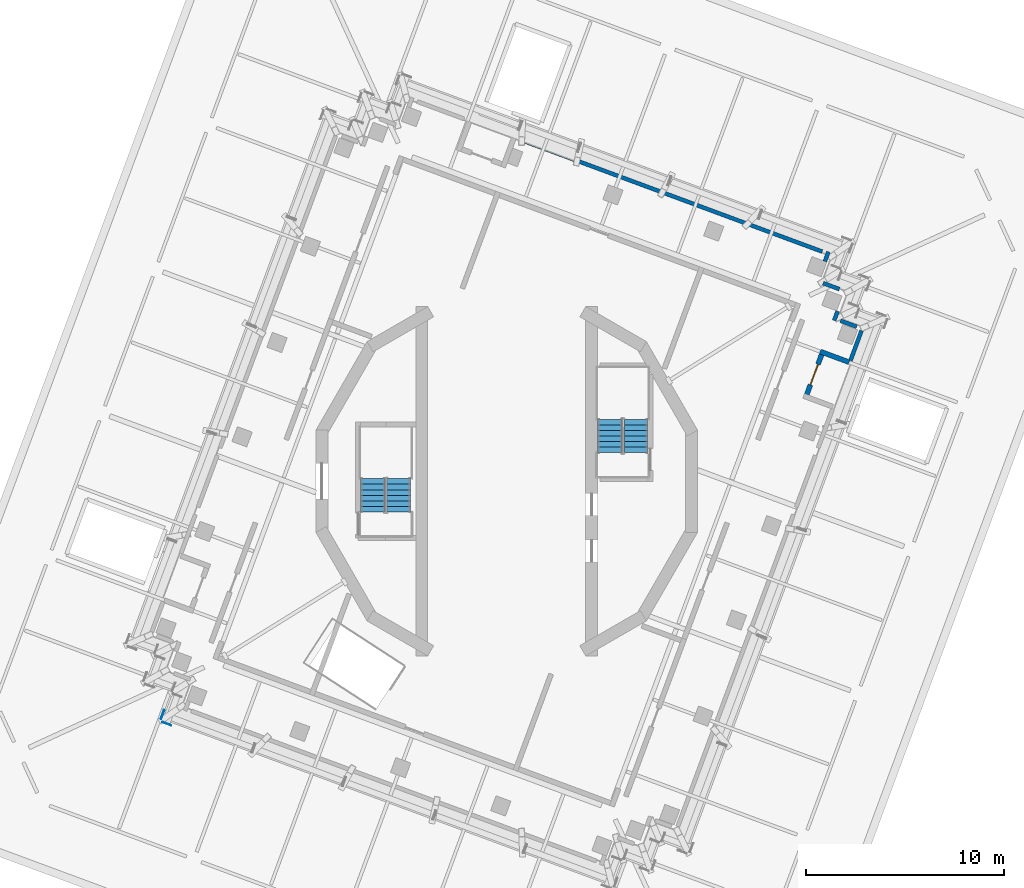
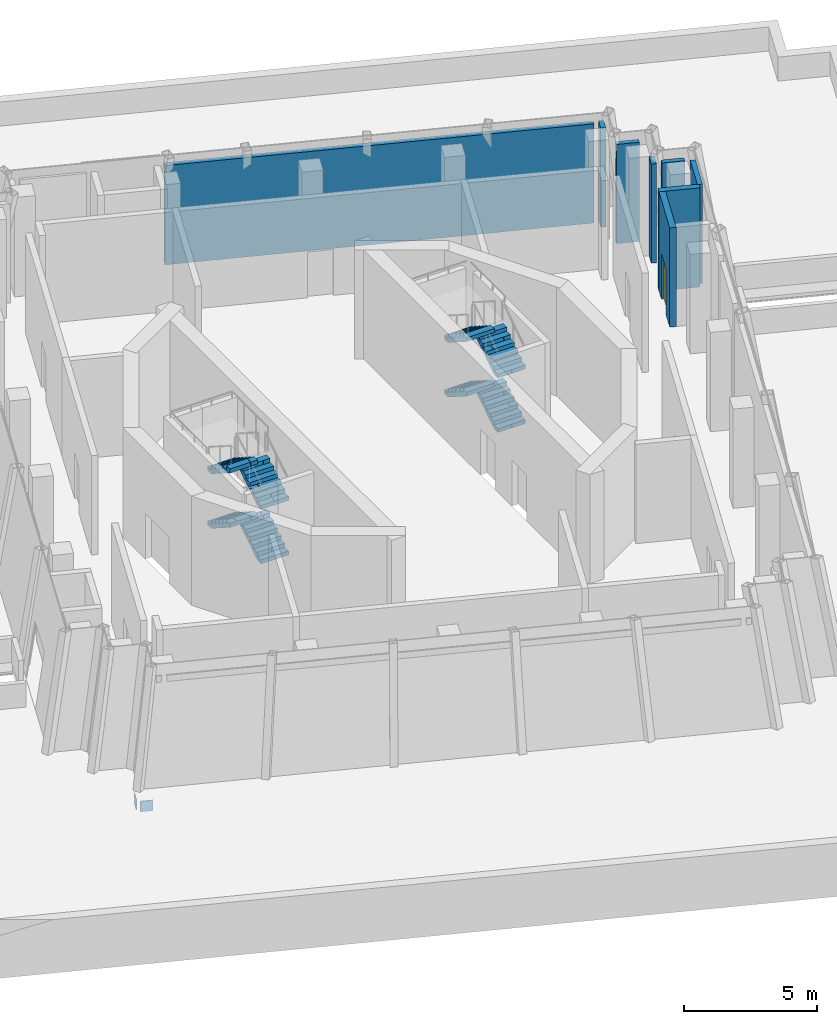
# One storey, part 7 of 12: 8 stair flights, 8 walls, 2 discrete accessories, 1 door, 1 opening, 4 elements without a shape of their own.
"""IFC4 building model written with IfcOpenShell, lengths in metres."""

from ifc_helpers import new_model, si_unit, direction, frame, frame_2d, origin, place, context, subcontext, project, spatial, polyline, rectangle, outline, extrude, material, layer, layer_set, type_object, element, fill, aggregate, save


model = new_model("IFC4")

# Units and contexts
model_context = context("Model", 3, precision=1e-05, world=origin(), true_north=direction((0.0, 1.0)))
body_context = subcontext(model_context, "Body", "Model", "MODEL_VIEW")
ifc_project = project(units=[si_unit("LENGTHUNIT", "METRE"), si_unit("AREAUNIT", "SQUARE_METRE"), si_unit("VOLUMEUNIT", "CUBIC_METRE"), si_unit("PLANEANGLEUNIT", "RADIAN"), si_unit("MASSUNIT", "GRAM", prefix="KILO")], contexts=[model_context])

# Site, building, storey
site_placement = place(None, origin())
site = spatial("IfcSite", under=ifc_project, at=site_placement, CompositionType="ELEMENT")
building_placement = place(site_placement, origin())
building = spatial("IfcBuilding", under=site, at=building_placement, Name="Cantera Rosa Tower", CompositionType="ELEMENT")
storey_placement = place(building_placement, frame((0.0, 0.0, 345.699951171875)))
storey = spatial("IfcBuildingStorey", under=building, at=storey_placement, Name="L78", CompositionType="ELEMENT", Elevation=345.699951171875)

# Walls
ifc_material_1 = material(Name="Masonry blockwork", Category="masonry")
ifc_layer_1 = layer(ifc_material_1, 0.199951171875)
ifc_layer_set_1 = layer_set([ifc_layer_1], Name="Blockwork partition 200")
wall_type_1 = type_object("IfcWallType", Name="Blockwork partition 200", PredefinedType="PARTITIONING", material=ifc_layer_set_1)
wall_1_placement = place(storey_placement, frame((16.108154296875, 11.1328125, 0.0), z_axis=(0.0, 0.0, 1.0), x_axis=(0.347391322771, 0.937720250855, 0.0)))
element("IfcWall", 1, at=wall_1_placement, inside=storey, type_object=wall_type_1, Name="Partition L78-24", PredefinedType="PARTITIONING", context=body_context, shape_type="SweptSolid", body=[
    extrude(rectangle(XDim=0.5166015625, YDim=0.199951171875, at=frame_2d((0.25830078125, 0.0))), origin(), (0.0, 0.0, 1.0), 4.550048828125),
])
for number, where, z_axis, x_axis, name in (
    (2, (17.71875, 7.823486328125, 0.0), (0.0, 0.0, 1.0), (-0.937644983039, 0.347594427144, 0.0), "Partition L78-41"),
    (3, (16.84521484375, 9.7255859375, 0.0), (0.0, 0.0, 1.0), (-0.937644983039, 0.347594427144, 0.0), "Partition L78-43"),
):
    element("IfcWall", number, at=place(storey_placement, frame(where, z_axis=z_axis, x_axis=x_axis)), inside=storey, type_object=wall_type_1, Name=name, PredefinedType="PARTITIONING", context=body_context, shape_type="SweptSolid", body=[
        extrude(rectangle(XDim=0.880126953125, YDim=0.199951171875, at=frame_2d((0.43994140625, 0.0))), origin(), (0.0, 0.0, 1.0), 4.550048828125),
    ])
wall_2_placement = place(storey_placement, frame((15.9716796875, 11.627685546875, 0.0), z_axis=(0.0, 0.0, 1.0), x_axis=(-0.937686189771, 0.347483250695, 0.0)))
element("IfcWall", 4, at=wall_2_placement, inside=storey, type_object=wall_type_1, Name="Partition L78-46", PredefinedType="PARTITIONING", context=body_context, shape_type="SweptSolid", body=[
    extrude(rectangle(XDim=16.336181640625, YDim=0.199951171875, at=frame_2d((8.16796875, 0.0))), origin(), (0.0, 0.0, 1.0), 4.550048828125),
])
wall_3_placement = place(storey_placement, frame((16.577392578125, 8.139892578125, 0.0), z_axis=(0.0, 0.0, 1.0), x_axis=(0.347488953483, 0.937684076439, 0.0)))
element("IfcWall", 5, at=wall_3_placement, inside=storey, type_object=wall_type_1, Name="Partition L78-52", PredefinedType="PARTITIONING", context=body_context, shape_type="SweptSolid", body=[
    extrude(rectangle(XDim=0.5009765625, YDim=0.199951171875, at=frame_2d((0.25048828125, 0.0))), origin(), (0.0, 0.0, 1.0), 4.550048828125),
])
wall_4_placement = place(storey_placement, frame((17.403076171875, 6.1083984375, 0.0), z_axis=(0.0, 0.0, 1.0), x_axis=(0.347383163171, 0.93772327365, 0.0)))
element("IfcWall", 6, at=wall_4_placement, inside=storey, type_object=wall_type_1, Name="Partition L78-56", PredefinedType="PARTITIONING", context=body_context, shape_type="SweptSolid", body=[
    extrude(rectangle(XDim=1.617919921875, YDim=0.199951171875, at=frame_2d((0.80908203125, 0.0))), origin(), (0.0, 0.0, 1.0), 4.550048828125),
])
ifc_material_2 = material(Name="Concrete C50/60", Category="concrete")
ifc_layer_2 = layer(ifc_material_2, 0.25)
ifc_layer_set_2 = layer_set([ifc_layer_2], Name="RC stair wall 250 H4550 C50/60")
wall_type_2 = type_object("IfcWallType", Name="RC stair wall 250 H4550", PredefinedType="SOLIDWALL", material=ifc_layer_set_2)
wall_5_placement = place(storey_placement, frame((17.33447265625, 6.027099609375, 0.0), z_axis=(0.0, 0.0, 1.0), x_axis=(-0.937662174448, 0.347548049354, 0.0)))
element("IfcWall", 7, at=wall_5_placement, inside=storey, type_object=wall_type_2, Name="Stair lobby wall ST-61 L78-A", PredefinedType="SOLIDWALL", context=body_context, shape_type="SweptSolid", body=[
    extrude(rectangle(XDim=1.565185546875, YDim=0.25, at=frame_2d((0.78271484375, 0.0))), origin(), (0.0, 0.0, 1.0), 4.550048828125),
])

# Wall, opening, door
wall_6_placement = place(storey_placement, frame((16.027587890625, 6.644775390625, 0.0), z_axis=(0.0, 0.0, 1.0), x_axis=(-0.347506383506, -0.937677617, 0.0)))
wall_6 = element("IfcWall", 8, at=wall_6_placement, inside=storey, type_object=wall_type_2, Name="Stair lobby wall ST-61 L78-C", PredefinedType="SOLIDWALL", context=body_context, shape_type="SweptSolid", body=[
    extrude(rectangle(XDim=2.64990234375, YDim=0.25, at=frame_2d((1.324951171875, 0.0))), origin(), (0.0, 0.0, 1.0), 4.550048828125),
])
opening_placement = place(wall_6_placement, frame((0.77490234375, 0.0, 0.0)))
opening = element("IfcOpeningElement", 9, at=opening_placement, cuts=wall_6, Name="Opening L78-ST-61-LD", PredefinedType="OPENING", context=body_context, shape_type="SweptSolid", body=[
    extrude(rectangle(XDim=1.10009765625, YDim=2.10009765625, at=frame_2d((0.550048828125, 1.050048828125))), frame((0.0, 0.135009765625, 0.0), z_axis=(0.0, -1.0, 0.0), x_axis=(1.0, 0.0, 0.0)), (0.0, 0.0, 1.0), 0.27001953125),
])
ifc_material_3 = material(Name="Steel S355J2 (EN 10025-2)", Category="steel")
door_type = type_object("IfcDoorType", Name="STAIR LOBBY DOOR 1100x2100", OperationType="NOTDEFINED", PredefinedType="DOOR", material=ifc_material_3)
door_placement = place(opening_placement, origin())
door = element("IfcDoor", 10, at=door_placement, inside=storey, type_object=door_type, Name="Lobby door ST-61 L78", OverallHeight=2.10009765625, OverallWidth=1.10009765625, PredefinedType="DOOR", context=body_context, shape_type="SweptSolid", body=[
    extrude(rectangle(XDim=1.10009765625, YDim=2.10009765625, at=frame_2d((0.550048828125, 1.050048828125))), frame((0.0, 0.02490234375, 0.0), z_axis=(0.0, -1.0, 0.0), x_axis=(1.0, 0.0, 0.0)), (0.0, 0.0, 1.0), 0.050048828125),
])
fill(opening, door)

# Stair, stair flights
ifc_material_4 = material(Name="Concrete C35/45", Category="concrete")
stair_type = type_object("IfcStairType", Name="EXIT STAIR 1200 DOGLEG", PredefinedType="HALF_TURN_STAIR", material=ifc_material_4)
stair_1_placement = place(storey_placement, origin())
stair_1 = element("IfcStair", 11, at=stair_1_placement, inside=storey, type_object=stair_type, Name="L78 ST-71", PredefinedType="HALF_TURN_STAIR")
ifc_material_5 = material(Name="Concrete C35/45", Category="concrete")
stair_flight_type = type_object("IfcStairFlightType", Name="STAIR FLIGHT 1200 R28x179", PredefinedType="STRAIGHT", material=ifc_material_5)
stair_flight_1_placement = place(storey_placement, frame((-5.449951171875, -1.550048828125, 0.0), z_axis=(0.0, 0.0, 1.0), x_axis=(0.0, 1.0, 0.0)))
stair_flight_1 = element("IfcStairFlight", 12, at=stair_flight_1_placement, type_object=stair_flight_type, Name="ST-71 flight 1", NumberOfRisers=7, NumberOfTreads=6, PredefinedType="STRAIGHT", RiserHeight=0.178571429, TreadLength=0.28, context=body_context, shape_type="SweptSolid", body=[
    extrude(outline(polyline([(0.0, 0.0), (0.0, 0.178466796875), (0.280029296875, 0.178466796875), (0.280029296875, 0.357177734375), (0.56005859375, 0.357177734375), (0.56005859375, 0.53564453125), (0.840087890625, 0.53564453125), (0.840087890625, 0.71435546875), (1.1201171875, 0.71435546875), (1.1201171875, 0.892822265625), (1.39990234375, 0.892822265625), (1.39990234375, 1.071533203125), (1.679931640625, 1.071533203125), (1.679931640625, 1.25), (1.679931640625, 0.8935546875), (0.27880859375, 0.0), (0.0, 0.0)])), frame((0.0, 0.60009765625, 0.0), z_axis=(0.0, -1.0, 0.0), x_axis=(1.0, 0.0, 0.0)), (0.0, 0.0, 1.0), 0.298583984375),
    extrude(outline(polyline([(0.0, 0.0), (0.0, 0.178466796875), (0.280029296875, 0.178466796875), (0.280029296875, 0.357177734375), (0.56005859375, 0.357177734375), (0.56005859375, 0.53564453125), (0.840087890625, 0.53564453125), (0.840087890625, 0.71435546875), (1.1201171875, 0.71435546875), (1.1201171875, 0.892822265625), (1.39990234375, 0.892822265625), (1.39990234375, 1.071533203125), (1.679931640625, 1.071533203125), (1.679931640625, 1.25), (1.679931640625, 0.8935546875), (0.27880859375, 0.0), (0.0, 0.0)])), frame((0.0, 0.29931640625, 0.0), z_axis=(0.0, -1.0, 0.0), x_axis=(1.0, 0.0, 0.0)), (0.0, 0.0, 1.0), 0.298583984375),
    extrude(outline(polyline([(0.0, 0.0), (0.0, 0.178466796875), (0.280029296875, 0.178466796875), (0.280029296875, 0.357177734375), (0.56005859375, 0.357177734375), (0.56005859375, 0.53564453125), (0.840087890625, 0.53564453125), (0.840087890625, 0.71435546875), (1.1201171875, 0.71435546875), (1.1201171875, 0.892822265625), (1.39990234375, 0.892822265625), (1.39990234375, 1.071533203125), (1.679931640625, 1.071533203125), (1.679931640625, 1.25), (1.679931640625, 0.8935546875), (0.27880859375, 0.0), (0.0, 0.0)])), frame((0.0, -0.0009765625, 0.0), z_axis=(0.0, -1.0, 0.0), x_axis=(1.0, 0.0, 0.0)), (0.0, 0.0, 1.0), 0.298583984375),
    extrude(outline(polyline([(0.0, 0.0), (0.0, 0.178466796875), (0.280029296875, 0.178466796875), (0.280029296875, 0.357177734375), (0.56005859375, 0.357177734375), (0.56005859375, 0.53564453125), (0.840087890625, 0.53564453125), (0.840087890625, 0.71435546875), (1.1201171875, 0.71435546875), (1.1201171875, 0.892822265625), (1.39990234375, 0.892822265625), (1.39990234375, 1.071533203125), (1.679931640625, 1.071533203125), (1.679931640625, 1.25), (1.679931640625, 0.8935546875), (0.27880859375, 0.0), (0.0, 0.0)])), frame((0.0, -0.3017578125, 0.0), z_axis=(0.0, -1.0, 0.0), x_axis=(1.0, 0.0, 0.0)), (0.0, 0.0, 1.0), 0.298583984375),
])
stair_flight_2_placement = place(storey_placement, frame((-6.800048828125, 0.1298828125, 1.25), z_axis=(0.0, 0.0, 1.0), x_axis=(0.0, -1.0, 0.0)))
stair_flight_2 = element("IfcStairFlight", 13, at=stair_flight_2_placement, type_object=stair_flight_type, Name="ST-71 flight 2", NumberOfRisers=7, NumberOfTreads=6, PredefinedType="STRAIGHT", RiserHeight=0.178571429, TreadLength=0.28, context=body_context, shape_type="SweptSolid", body=[
    extrude(outline(polyline([(0.0, 0.0), (0.0, 0.178466796875), (0.280029296875, 0.178466796875), (0.280029296875, 0.357177734375), (0.56005859375, 0.357177734375), (0.56005859375, 0.53564453125), (0.840087890625, 0.53564453125), (0.840087890625, 0.71435546875), (1.1201171875, 0.71435546875), (1.1201171875, 0.892822265625), (1.39990234375, 0.892822265625), (1.39990234375, 1.071533203125), (1.679931640625, 1.071533203125), (1.679931640625, 1.25), (1.679931640625, 0.8935546875), (0.27880859375, 0.0), (0.0, 0.0)])), frame((0.0, 0.60009765625, 0.0), z_axis=(0.0, -1.0, 0.0), x_axis=(1.0, 0.0, 0.0)), (0.0, 0.0, 1.0), 0.298583984375),
    extrude(outline(polyline([(0.0, 0.0), (0.0, 0.178466796875), (0.280029296875, 0.178466796875), (0.280029296875, 0.357177734375), (0.56005859375, 0.357177734375), (0.56005859375, 0.53564453125), (0.840087890625, 0.53564453125), (0.840087890625, 0.71435546875), (1.1201171875, 0.71435546875), (1.1201171875, 0.892822265625), (1.39990234375, 0.892822265625), (1.39990234375, 1.071533203125), (1.679931640625, 1.071533203125), (1.679931640625, 1.25), (1.679931640625, 0.8935546875), (0.27880859375, 0.0), (0.0, 0.0)])), frame((0.0, 0.29931640625, 0.0), z_axis=(0.0, -1.0, 0.0), x_axis=(1.0, 0.0, 0.0)), (0.0, 0.0, 1.0), 0.298583984375),
    extrude(outline(polyline([(0.0, 0.0), (0.0, 0.178466796875), (0.280029296875, 0.178466796875), (0.280029296875, 0.357177734375), (0.56005859375, 0.357177734375), (0.56005859375, 0.53564453125), (0.840087890625, 0.53564453125), (0.840087890625, 0.71435546875), (1.1201171875, 0.71435546875), (1.1201171875, 0.892822265625), (1.39990234375, 0.892822265625), (1.39990234375, 1.071533203125), (1.679931640625, 1.071533203125), (1.679931640625, 1.25), (1.679931640625, 0.8935546875), (0.27880859375, 0.0), (0.0, 0.0)])), frame((0.0, -0.0009765625, 0.0), z_axis=(0.0, -1.0, 0.0), x_axis=(1.0, 0.0, 0.0)), (0.0, 0.0, 1.0), 0.298583984375),
    extrude(outline(polyline([(0.0, 0.0), (0.0, 0.178466796875), (0.280029296875, 0.178466796875), (0.280029296875, 0.357177734375), (0.56005859375, 0.357177734375), (0.56005859375, 0.53564453125), (0.840087890625, 0.53564453125), (0.840087890625, 0.71435546875), (1.1201171875, 0.71435546875), (1.1201171875, 0.892822265625), (1.39990234375, 0.892822265625), (1.39990234375, 1.071533203125), (1.679931640625, 1.071533203125), (1.679931640625, 1.25), (1.679931640625, 0.8935546875), (0.27880859375, 0.0), (0.0, 0.0)])), frame((0.0, -0.3017578125, 0.0), z_axis=(0.0, -1.0, 0.0), x_axis=(1.0, 0.0, 0.0)), (0.0, 0.0, 1.0), 0.298583984375),
])
stair_flight_3_placement = place(storey_placement, frame((-5.449951171875, -1.550048828125, 2.5), z_axis=(0.0, 0.0, 1.0), x_axis=(0.0, 1.0, 0.0)))
stair_flight_3 = element("IfcStairFlight", 14, at=stair_flight_3_placement, type_object=stair_flight_type, Name="ST-71 flight 3", NumberOfRisers=7, NumberOfTreads=6, PredefinedType="STRAIGHT", RiserHeight=0.178571429, TreadLength=0.28, context=body_context, shape_type="SweptSolid", body=[
    extrude(outline(polyline([(0.0, 0.0), (0.0, 0.178466796875), (0.280029296875, 0.178466796875), (0.280029296875, 0.357177734375), (0.56005859375, 0.357177734375), (0.56005859375, 0.53564453125), (0.840087890625, 0.53564453125), (0.840087890625, 0.71435546875), (1.1201171875, 0.71435546875), (1.1201171875, 0.892822265625), (1.39990234375, 0.892822265625), (1.39990234375, 1.071533203125), (1.679931640625, 1.071533203125), (1.679931640625, 1.25), (1.679931640625, 0.8935546875), (0.27880859375, 0.0), (0.0, 0.0)])), frame((0.0, 0.60009765625, 0.0), z_axis=(0.0, -1.0, 0.0), x_axis=(1.0, 0.0, 0.0)), (0.0, 0.0, 1.0), 0.298583984375),
    extrude(outline(polyline([(0.0, 0.0), (0.0, 0.178466796875), (0.280029296875, 0.178466796875), (0.280029296875, 0.357177734375), (0.56005859375, 0.357177734375), (0.56005859375, 0.53564453125), (0.840087890625, 0.53564453125), (0.840087890625, 0.71435546875), (1.1201171875, 0.71435546875), (1.1201171875, 0.892822265625), (1.39990234375, 0.892822265625), (1.39990234375, 1.071533203125), (1.679931640625, 1.071533203125), (1.679931640625, 1.25), (1.679931640625, 0.8935546875), (0.27880859375, 0.0), (0.0, 0.0)])), frame((0.0, 0.29931640625, 0.0), z_axis=(0.0, -1.0, 0.0), x_axis=(1.0, 0.0, 0.0)), (0.0, 0.0, 1.0), 0.298583984375),
    extrude(outline(polyline([(0.0, 0.0), (0.0, 0.178466796875), (0.280029296875, 0.178466796875), (0.280029296875, 0.357177734375), (0.56005859375, 0.357177734375), (0.56005859375, 0.53564453125), (0.840087890625, 0.53564453125), (0.840087890625, 0.71435546875), (1.1201171875, 0.71435546875), (1.1201171875, 0.892822265625), (1.39990234375, 0.892822265625), (1.39990234375, 1.071533203125), (1.679931640625, 1.071533203125), (1.679931640625, 1.25), (1.679931640625, 0.8935546875), (0.27880859375, 0.0), (0.0, 0.0)])), frame((0.0, -0.0009765625, 0.0), z_axis=(0.0, -1.0, 0.0), x_axis=(1.0, 0.0, 0.0)), (0.0, 0.0, 1.0), 0.298583984375),
    extrude(outline(polyline([(0.0, 0.0), (0.0, 0.178466796875), (0.280029296875, 0.178466796875), (0.280029296875, 0.357177734375), (0.56005859375, 0.357177734375), (0.56005859375, 0.53564453125), (0.840087890625, 0.53564453125), (0.840087890625, 0.71435546875), (1.1201171875, 0.71435546875), (1.1201171875, 0.892822265625), (1.39990234375, 0.892822265625), (1.39990234375, 1.071533203125), (1.679931640625, 1.071533203125), (1.679931640625, 1.25), (1.679931640625, 0.8935546875), (0.27880859375, 0.0), (0.0, 0.0)])), frame((0.0, -0.3017578125, 0.0), z_axis=(0.0, -1.0, 0.0), x_axis=(1.0, 0.0, 0.0)), (0.0, 0.0, 1.0), 0.298583984375),
])
stair_flight_4_placement = place(storey_placement, frame((-6.800048828125, 0.1298828125, 3.75), z_axis=(0.0, 0.0, 1.0), x_axis=(0.0, -1.0, 0.0)))
stair_flight_4 = element("IfcStairFlight", 15, at=stair_flight_4_placement, type_object=stair_flight_type, Name="ST-71 flight 4", NumberOfRisers=7, NumberOfTreads=6, PredefinedType="STRAIGHT", RiserHeight=0.178571429, TreadLength=0.28, context=body_context, shape_type="SweptSolid", body=[
    extrude(outline(polyline([(0.0, 0.0), (0.0, 0.178466796875), (0.280029296875, 0.178466796875), (0.280029296875, 0.357177734375), (0.56005859375, 0.357177734375), (0.56005859375, 0.53564453125), (0.840087890625, 0.53564453125), (0.840087890625, 0.71435546875), (1.1201171875, 0.71435546875), (1.1201171875, 0.892822265625), (1.39990234375, 0.892822265625), (1.39990234375, 1.071533203125), (1.679931640625, 1.071533203125), (1.679931640625, 1.25), (1.679931640625, 0.8935546875), (0.27880859375, 0.0), (0.0, 0.0)])), frame((0.0, 0.60009765625, 0.0), z_axis=(0.0, -1.0, 0.0), x_axis=(1.0, 0.0, 0.0)), (0.0, 0.0, 1.0), 0.298583984375),
    extrude(outline(polyline([(0.0, 0.0), (0.0, 0.178466796875), (0.280029296875, 0.178466796875), (0.280029296875, 0.357177734375), (0.56005859375, 0.357177734375), (0.56005859375, 0.53564453125), (0.840087890625, 0.53564453125), (0.840087890625, 0.71435546875), (1.1201171875, 0.71435546875), (1.1201171875, 0.892822265625), (1.39990234375, 0.892822265625), (1.39990234375, 1.071533203125), (1.679931640625, 1.071533203125), (1.679931640625, 1.25), (1.679931640625, 0.8935546875), (0.27880859375, 0.0), (0.0, 0.0)])), frame((0.0, 0.29931640625, 0.0), z_axis=(0.0, -1.0, 0.0), x_axis=(1.0, 0.0, 0.0)), (0.0, 0.0, 1.0), 0.298583984375),
    extrude(outline(polyline([(0.0, 0.0), (0.0, 0.178466796875), (0.280029296875, 0.178466796875), (0.280029296875, 0.357177734375), (0.56005859375, 0.357177734375), (0.56005859375, 0.53564453125), (0.840087890625, 0.53564453125), (0.840087890625, 0.71435546875), (1.1201171875, 0.71435546875), (1.1201171875, 0.892822265625), (1.39990234375, 0.892822265625), (1.39990234375, 1.071533203125), (1.679931640625, 1.071533203125), (1.679931640625, 1.25), (1.679931640625, 0.8935546875), (0.27880859375, 0.0), (0.0, 0.0)])), frame((0.0, -0.0009765625, 0.0), z_axis=(0.0, -1.0, 0.0), x_axis=(1.0, 0.0, 0.0)), (0.0, 0.0, 1.0), 0.298583984375),
    extrude(outline(polyline([(0.0, 0.0), (0.0, 0.178466796875), (0.280029296875, 0.178466796875), (0.280029296875, 0.357177734375), (0.56005859375, 0.357177734375), (0.56005859375, 0.53564453125), (0.840087890625, 0.53564453125), (0.840087890625, 0.71435546875), (1.1201171875, 0.71435546875), (1.1201171875, 0.892822265625), (1.39990234375, 0.892822265625), (1.39990234375, 1.071533203125), (1.679931640625, 1.071533203125), (1.679931640625, 1.25), (1.679931640625, 0.8935546875), (0.27880859375, 0.0), (0.0, 0.0)])), frame((0.0, -0.3017578125, 0.0), z_axis=(0.0, -1.0, 0.0), x_axis=(1.0, 0.0, 0.0)), (0.0, 0.0, 1.0), 0.298583984375),
])
aggregate(stair_1, [stair_flight_1, stair_flight_2, stair_flight_3, stair_flight_4])

stair_2_placement = place(storey_placement, origin())
stair_2 = element("IfcStair", 16, at=stair_2_placement, inside=storey, type_object=stair_type, Name="L78 ST-72", PredefinedType="HALF_TURN_STAIR")
stair_flight_5_placement = place(storey_placement, frame((6.550048828125, 1.449951171875, 0.0), z_axis=(0.0, 0.0, 1.0), x_axis=(0.0, 1.0, 0.0)))
stair_flight_5 = element("IfcStairFlight", 17, at=stair_flight_5_placement, type_object=stair_flight_type, Name="ST-72 flight 1", NumberOfRisers=7, NumberOfTreads=6, PredefinedType="STRAIGHT", RiserHeight=0.178571429, TreadLength=0.28, context=body_context, shape_type="SweptSolid", body=[
    extrude(outline(polyline([(0.0, 0.0), (0.0, 0.178466796875), (0.280029296875, 0.178466796875), (0.280029296875, 0.357177734375), (0.56005859375, 0.357177734375), (0.56005859375, 0.53564453125), (0.840087890625, 0.53564453125), (0.840087890625, 0.71435546875), (1.1201171875, 0.71435546875), (1.1201171875, 0.892822265625), (1.39990234375, 0.892822265625), (1.39990234375, 1.071533203125), (1.679931640625, 1.071533203125), (1.679931640625, 1.25), (1.679931640625, 0.8935546875), (0.27880859375, 0.0), (0.0, 0.0)])), frame((0.0, 0.60009765625, 0.0), z_axis=(0.0, -1.0, 0.0), x_axis=(1.0, 0.0, 0.0)), (0.0, 0.0, 1.0), 0.298583984375),
    extrude(outline(polyline([(0.0, 0.0), (0.0, 0.178466796875), (0.280029296875, 0.178466796875), (0.280029296875, 0.357177734375), (0.56005859375, 0.357177734375), (0.56005859375, 0.53564453125), (0.840087890625, 0.53564453125), (0.840087890625, 0.71435546875), (1.1201171875, 0.71435546875), (1.1201171875, 0.892822265625), (1.39990234375, 0.892822265625), (1.39990234375, 1.071533203125), (1.679931640625, 1.071533203125), (1.679931640625, 1.25), (1.679931640625, 0.8935546875), (0.27880859375, 0.0), (0.0, 0.0)])), frame((0.0, 0.29931640625, 0.0), z_axis=(0.0, -1.0, 0.0), x_axis=(1.0, 0.0, 0.0)), (0.0, 0.0, 1.0), 0.298583984375),
    extrude(outline(polyline([(0.0, 0.0), (0.0, 0.178466796875), (0.280029296875, 0.178466796875), (0.280029296875, 0.357177734375), (0.56005859375, 0.357177734375), (0.56005859375, 0.53564453125), (0.840087890625, 0.53564453125), (0.840087890625, 0.71435546875), (1.1201171875, 0.71435546875), (1.1201171875, 0.892822265625), (1.39990234375, 0.892822265625), (1.39990234375, 1.071533203125), (1.679931640625, 1.071533203125), (1.679931640625, 1.25), (1.679931640625, 0.8935546875), (0.27880859375, 0.0), (0.0, 0.0)])), frame((0.0, -0.0009765625, 0.0), z_axis=(0.0, -1.0, 0.0), x_axis=(1.0, 0.0, 0.0)), (0.0, 0.0, 1.0), 0.298583984375),
    extrude(outline(polyline([(0.0, 0.0), (0.0, 0.178466796875), (0.280029296875, 0.178466796875), (0.280029296875, 0.357177734375), (0.56005859375, 0.357177734375), (0.56005859375, 0.53564453125), (0.840087890625, 0.53564453125), (0.840087890625, 0.71435546875), (1.1201171875, 0.71435546875), (1.1201171875, 0.892822265625), (1.39990234375, 0.892822265625), (1.39990234375, 1.071533203125), (1.679931640625, 1.071533203125), (1.679931640625, 1.25), (1.679931640625, 0.8935546875), (0.27880859375, 0.0), (0.0, 0.0)])), frame((0.0, -0.3017578125, 0.0), z_axis=(0.0, -1.0, 0.0), x_axis=(1.0, 0.0, 0.0)), (0.0, 0.0, 1.0), 0.298583984375),
])
stair_flight_6_placement = place(storey_placement, frame((5.199951171875, 3.1298828125, 1.25), z_axis=(0.0, 0.0, 1.0), x_axis=(0.0, -1.0, 0.0)))
stair_flight_6 = element("IfcStairFlight", 18, at=stair_flight_6_placement, type_object=stair_flight_type, Name="ST-72 flight 2", NumberOfRisers=7, NumberOfTreads=6, PredefinedType="STRAIGHT", RiserHeight=0.178571429, TreadLength=0.28, context=body_context, shape_type="SweptSolid", body=[
    extrude(outline(polyline([(0.0, 0.0), (0.0, 0.178466796875), (0.280029296875, 0.178466796875), (0.280029296875, 0.357177734375), (0.56005859375, 0.357177734375), (0.56005859375, 0.53564453125), (0.840087890625, 0.53564453125), (0.840087890625, 0.71435546875), (1.1201171875, 0.71435546875), (1.1201171875, 0.892822265625), (1.39990234375, 0.892822265625), (1.39990234375, 1.071533203125), (1.679931640625, 1.071533203125), (1.679931640625, 1.25), (1.679931640625, 0.8935546875), (0.27880859375, 0.0), (0.0, 0.0)])), frame((0.0, 0.60009765625, 0.0), z_axis=(0.0, -1.0, 0.0), x_axis=(1.0, 0.0, 0.0)), (0.0, 0.0, 1.0), 0.298583984375),
    extrude(outline(polyline([(0.0, 0.0), (0.0, 0.178466796875), (0.280029296875, 0.178466796875), (0.280029296875, 0.357177734375), (0.56005859375, 0.357177734375), (0.56005859375, 0.53564453125), (0.840087890625, 0.53564453125), (0.840087890625, 0.71435546875), (1.1201171875, 0.71435546875), (1.1201171875, 0.892822265625), (1.39990234375, 0.892822265625), (1.39990234375, 1.071533203125), (1.679931640625, 1.071533203125), (1.679931640625, 1.25), (1.679931640625, 0.8935546875), (0.27880859375, 0.0), (0.0, 0.0)])), frame((0.0, 0.29931640625, 0.0), z_axis=(0.0, -1.0, 0.0), x_axis=(1.0, 0.0, 0.0)), (0.0, 0.0, 1.0), 0.298583984375),
    extrude(outline(polyline([(0.0, 0.0), (0.0, 0.178466796875), (0.280029296875, 0.178466796875), (0.280029296875, 0.357177734375), (0.56005859375, 0.357177734375), (0.56005859375, 0.53564453125), (0.840087890625, 0.53564453125), (0.840087890625, 0.71435546875), (1.1201171875, 0.71435546875), (1.1201171875, 0.892822265625), (1.39990234375, 0.892822265625), (1.39990234375, 1.071533203125), (1.679931640625, 1.071533203125), (1.679931640625, 1.25), (1.679931640625, 0.8935546875), (0.27880859375, 0.0), (0.0, 0.0)])), frame((0.0, -0.0009765625, 0.0), z_axis=(0.0, -1.0, 0.0), x_axis=(1.0, 0.0, 0.0)), (0.0, 0.0, 1.0), 0.298583984375),
    extrude(outline(polyline([(0.0, 0.0), (0.0, 0.178466796875), (0.280029296875, 0.178466796875), (0.280029296875, 0.357177734375), (0.56005859375, 0.357177734375), (0.56005859375, 0.53564453125), (0.840087890625, 0.53564453125), (0.840087890625, 0.71435546875), (1.1201171875, 0.71435546875), (1.1201171875, 0.892822265625), (1.39990234375, 0.892822265625), (1.39990234375, 1.071533203125), (1.679931640625, 1.071533203125), (1.679931640625, 1.25), (1.679931640625, 0.8935546875), (0.27880859375, 0.0), (0.0, 0.0)])), frame((0.0, -0.3017578125, 0.0), z_axis=(0.0, -1.0, 0.0), x_axis=(1.0, 0.0, 0.0)), (0.0, 0.0, 1.0), 0.298583984375),
])
stair_flight_7_placement = place(storey_placement, frame((6.550048828125, 1.449951171875, 2.5), z_axis=(0.0, 0.0, 1.0), x_axis=(0.0, 1.0, 0.0)))
stair_flight_7 = element("IfcStairFlight", 19, at=stair_flight_7_placement, type_object=stair_flight_type, Name="ST-72 flight 3", NumberOfRisers=7, NumberOfTreads=6, PredefinedType="STRAIGHT", RiserHeight=0.178571429, TreadLength=0.28, context=body_context, shape_type="SweptSolid", body=[
    extrude(outline(polyline([(0.0, 0.0), (0.0, 0.178466796875), (0.280029296875, 0.178466796875), (0.280029296875, 0.357177734375), (0.56005859375, 0.357177734375), (0.56005859375, 0.53564453125), (0.840087890625, 0.53564453125), (0.840087890625, 0.71435546875), (1.1201171875, 0.71435546875), (1.1201171875, 0.892822265625), (1.39990234375, 0.892822265625), (1.39990234375, 1.071533203125), (1.679931640625, 1.071533203125), (1.679931640625, 1.25), (1.679931640625, 0.8935546875), (0.27880859375, 0.0), (0.0, 0.0)])), frame((0.0, 0.60009765625, 0.0), z_axis=(0.0, -1.0, 0.0), x_axis=(1.0, 0.0, 0.0)), (0.0, 0.0, 1.0), 0.298583984375),
    extrude(outline(polyline([(0.0, 0.0), (0.0, 0.178466796875), (0.280029296875, 0.178466796875), (0.280029296875, 0.357177734375), (0.56005859375, 0.357177734375), (0.56005859375, 0.53564453125), (0.840087890625, 0.53564453125), (0.840087890625, 0.71435546875), (1.1201171875, 0.71435546875), (1.1201171875, 0.892822265625), (1.39990234375, 0.892822265625), (1.39990234375, 1.071533203125), (1.679931640625, 1.071533203125), (1.679931640625, 1.25), (1.679931640625, 0.8935546875), (0.27880859375, 0.0), (0.0, 0.0)])), frame((0.0, 0.29931640625, 0.0), z_axis=(0.0, -1.0, 0.0), x_axis=(1.0, 0.0, 0.0)), (0.0, 0.0, 1.0), 0.298583984375),
    extrude(outline(polyline([(0.0, 0.0), (0.0, 0.178466796875), (0.280029296875, 0.178466796875), (0.280029296875, 0.357177734375), (0.56005859375, 0.357177734375), (0.56005859375, 0.53564453125), (0.840087890625, 0.53564453125), (0.840087890625, 0.71435546875), (1.1201171875, 0.71435546875), (1.1201171875, 0.892822265625), (1.39990234375, 0.892822265625), (1.39990234375, 1.071533203125), (1.679931640625, 1.071533203125), (1.679931640625, 1.25), (1.679931640625, 0.8935546875), (0.27880859375, 0.0), (0.0, 0.0)])), frame((0.0, -0.0009765625, 0.0), z_axis=(0.0, -1.0, 0.0), x_axis=(1.0, 0.0, 0.0)), (0.0, 0.0, 1.0), 0.298583984375),
    extrude(outline(polyline([(0.0, 0.0), (0.0, 0.178466796875), (0.280029296875, 0.178466796875), (0.280029296875, 0.357177734375), (0.56005859375, 0.357177734375), (0.56005859375, 0.53564453125), (0.840087890625, 0.53564453125), (0.840087890625, 0.71435546875), (1.1201171875, 0.71435546875), (1.1201171875, 0.892822265625), (1.39990234375, 0.892822265625), (1.39990234375, 1.071533203125), (1.679931640625, 1.071533203125), (1.679931640625, 1.25), (1.679931640625, 0.8935546875), (0.27880859375, 0.0), (0.0, 0.0)])), frame((0.0, -0.3017578125, 0.0), z_axis=(0.0, -1.0, 0.0), x_axis=(1.0, 0.0, 0.0)), (0.0, 0.0, 1.0), 0.298583984375),
])
stair_flight_8_placement = place(storey_placement, frame((5.199951171875, 3.1298828125, 3.75), z_axis=(0.0, 0.0, 1.0), x_axis=(0.0, -1.0, 0.0)))
stair_flight_8 = element("IfcStairFlight", 20, at=stair_flight_8_placement, type_object=stair_flight_type, Name="ST-72 flight 4", NumberOfRisers=7, NumberOfTreads=6, PredefinedType="STRAIGHT", RiserHeight=0.178571429, TreadLength=0.28, context=body_context, shape_type="SweptSolid", body=[
    extrude(outline(polyline([(0.0, 0.0), (0.0, 0.178466796875), (0.280029296875, 0.178466796875), (0.280029296875, 0.357177734375), (0.56005859375, 0.357177734375), (0.56005859375, 0.53564453125), (0.840087890625, 0.53564453125), (0.840087890625, 0.71435546875), (1.1201171875, 0.71435546875), (1.1201171875, 0.892822265625), (1.39990234375, 0.892822265625), (1.39990234375, 1.071533203125), (1.679931640625, 1.071533203125), (1.679931640625, 1.25), (1.679931640625, 0.8935546875), (0.27880859375, 0.0), (0.0, 0.0)])), frame((0.0, 0.60009765625, 0.0), z_axis=(0.0, -1.0, 0.0), x_axis=(1.0, 0.0, 0.0)), (0.0, 0.0, 1.0), 0.298583984375),
    extrude(outline(polyline([(0.0, 0.0), (0.0, 0.178466796875), (0.280029296875, 0.178466796875), (0.280029296875, 0.357177734375), (0.56005859375, 0.357177734375), (0.56005859375, 0.53564453125), (0.840087890625, 0.53564453125), (0.840087890625, 0.71435546875), (1.1201171875, 0.71435546875), (1.1201171875, 0.892822265625), (1.39990234375, 0.892822265625), (1.39990234375, 1.071533203125), (1.679931640625, 1.071533203125), (1.679931640625, 1.25), (1.679931640625, 0.8935546875), (0.27880859375, 0.0), (0.0, 0.0)])), frame((0.0, 0.29931640625, 0.0), z_axis=(0.0, -1.0, 0.0), x_axis=(1.0, 0.0, 0.0)), (0.0, 0.0, 1.0), 0.298583984375),
    extrude(outline(polyline([(0.0, 0.0), (0.0, 0.178466796875), (0.280029296875, 0.178466796875), (0.280029296875, 0.357177734375), (0.56005859375, 0.357177734375), (0.56005859375, 0.53564453125), (0.840087890625, 0.53564453125), (0.840087890625, 0.71435546875), (1.1201171875, 0.71435546875), (1.1201171875, 0.892822265625), (1.39990234375, 0.892822265625), (1.39990234375, 1.071533203125), (1.679931640625, 1.071533203125), (1.679931640625, 1.25), (1.679931640625, 0.8935546875), (0.27880859375, 0.0), (0.0, 0.0)])), frame((0.0, -0.0009765625, 0.0), z_axis=(0.0, -1.0, 0.0), x_axis=(1.0, 0.0, 0.0)), (0.0, 0.0, 1.0), 0.298583984375),
    extrude(outline(polyline([(0.0, 0.0), (0.0, 0.178466796875), (0.280029296875, 0.178466796875), (0.280029296875, 0.357177734375), (0.56005859375, 0.357177734375), (0.56005859375, 0.53564453125), (0.840087890625, 0.53564453125), (0.840087890625, 0.71435546875), (1.1201171875, 0.71435546875), (1.1201171875, 0.892822265625), (1.39990234375, 0.892822265625), (1.39990234375, 1.071533203125), (1.679931640625, 1.071533203125), (1.679931640625, 1.25), (1.679931640625, 0.8935546875), (0.27880859375, 0.0), (0.0, 0.0)])), frame((0.0, -0.3017578125, 0.0), z_axis=(0.0, -1.0, 0.0), x_axis=(1.0, 0.0, 0.0)), (0.0, 0.0, 1.0), 0.298583984375),
])
aggregate(stair_2, [stair_flight_5, stair_flight_6, stair_flight_7, stair_flight_8])

# Curtain wall, discrete accessory
ifc_material_6 = material(Name="Aluminium frame with clear glass", Category="aluminium")
curtain_wall_type = type_object("IfcCurtainWallType", Name="CW4 CROWN GLAZING", PredefinedType="NOTDEFINED", material=ifc_material_6)
curtain_wall_1_placement = place(storey_placement, origin())
curtain_wall_1 = element("IfcCurtainWall", 21, at=curtain_wall_1_placement, inside=storey, type_object=curtain_wall_type, Name="CW4 L78-18", PredefinedType="NOTDEFINED")
ifc_material_7 = material(Name="Steel S355J2 (EN 10025-2)", Category="steel")
ifc_layer_3 = layer(ifc_material_7, 0.030029296875)
ifc_layer_set_3 = layer_set([ifc_layer_3], Name="NODE PLATE 30")
discrete_accessory_type = type_object("IfcDiscreteAccessoryType", Name="NODE PLATE 30", PredefinedType="ANCHORPLATE", material=ifc_layer_set_3)
discrete_accessory_1_placement = place(storey_placement, frame((-16.991455078125, -12.378173828125, -0.43505859375), z_axis=(-0.347330918501, -0.937742626232, 0.0), x_axis=(-0.937742626232, 0.347330918501, 0.0)))
discrete_accessory_1 = element("IfcDiscreteAccessory", 22, at=discrete_accessory_1_placement, type_object=discrete_accessory_type, Name="END PLATE TE1", PredefinedType="ANCHORPLATE", context=body_context, shape_type="SweptSolid", body=[
    extrude(outline(polyline([(0.0, 0.0), (0.4800840869406107, 0.0), (0.4800840869406107, 0.47998046875), (0.0, 0.47998046875), (0.0, 0.0)])), origin(), (0.0, 0.0, -1.0), 0.0400390625),
])
aggregate(curtain_wall_1, [discrete_accessory_1])

curtain_wall_2_placement = place(storey_placement, origin())
curtain_wall_2 = element("IfcCurtainWall", 23, at=curtain_wall_2_placement, inside=storey, type_object=curtain_wall_type, Name="CW4 L78-19", PredefinedType="NOTDEFINED")
discrete_accessory_2_placement = place(storey_placement, frame((-17.52587890625, -12.022705078125, -0.43505859375), z_axis=(-0.937681233018, 0.347496626235, 0.0), x_axis=(0.347496626235, 0.937681233018, 0.0)))
discrete_accessory_2 = element("IfcDiscreteAccessory", 24, at=discrete_accessory_2_placement, type_object=discrete_accessory_type, Name="END PLATE TE0", PredefinedType="ANCHORPLATE", context=body_context, shape_type="SweptSolid", body=[
    extrude(outline(polyline([(0.0, 0.0), (0.4798551533622547, 0.0), (0.4798551533622547, 0.47998046875), (0.0, 0.47998046875), (0.0, 0.0)])), origin(), (0.0, 0.0, -1.0), 0.0400390625),
])
aggregate(curtain_wall_2, [discrete_accessory_2])

save(model, "model.ifc")
